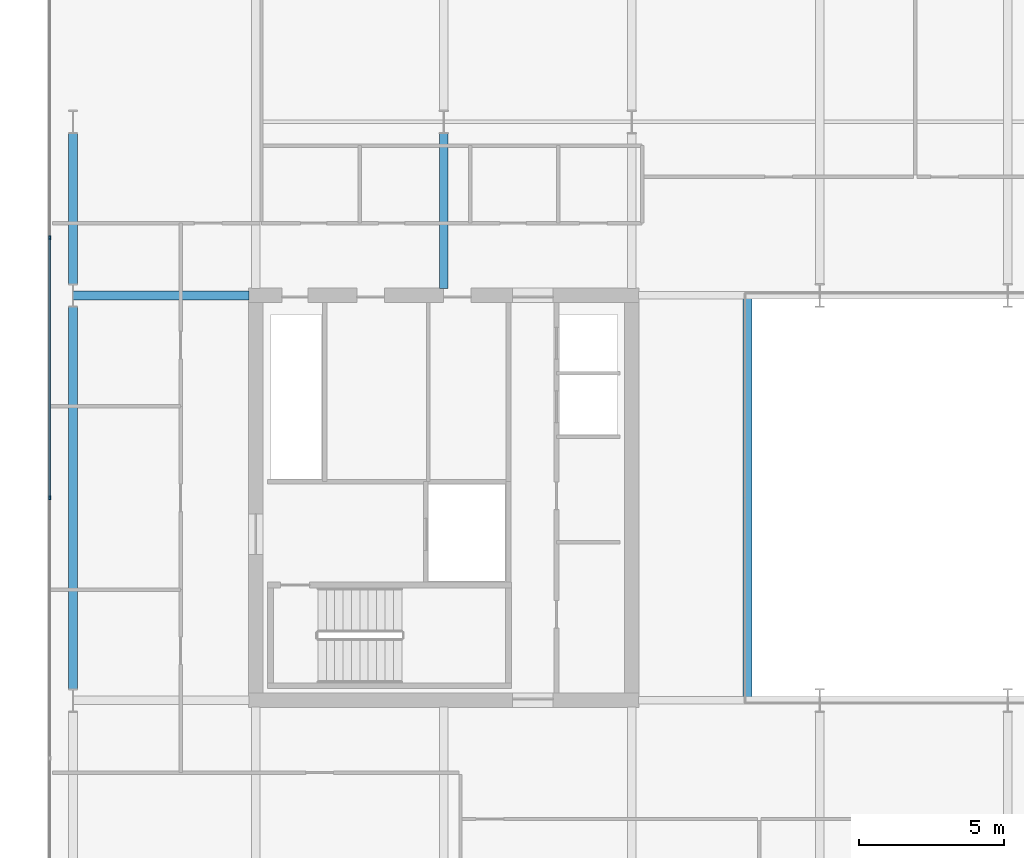
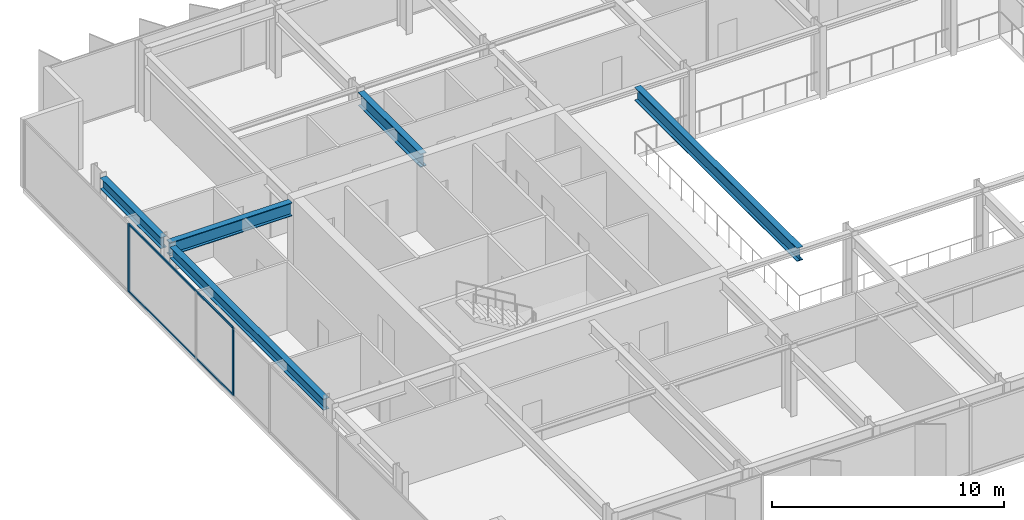
# One storey, part 5 of 23: 5 beams, 4 members, 1 element without a shape of its own.
"""IFC4 building model written with IfcOpenShell, lengths in metres."""

from ifc_helpers import new_model, si_unit, direction, frame, origin, origin_2d, place, context, subcontext, project, spatial, rectangle, i_section, extrude, material, layer, layer_set, material_profile, profile_set, type_object, element, aggregate, save


model = new_model("IFC4")

# Units and contexts
model_context = context("Model", 3, precision=1e-05, world=origin(), true_north=direction((0.0, 1.0)))
body_context = subcontext(model_context, "Body", "Model", "MODEL_VIEW")
ifc_project = project(units=[si_unit("LENGTHUNIT", "METRE"), si_unit("AREAUNIT", "SQUARE_METRE"), si_unit("VOLUMEUNIT", "CUBIC_METRE"), si_unit("PLANEANGLEUNIT", "RADIAN"), si_unit("MASSUNIT", "GRAM", prefix="KILO")], contexts=[model_context])

# Site, building, storey
site_placement = place(None, origin())
site = spatial("IfcSite", under=ifc_project, at=site_placement, CompositionType="ELEMENT")
building_placement = place(site_placement, origin())
building = spatial("IfcBuilding", under=site, at=building_placement, Name="Putna Gate Headquarters", CompositionType="ELEMENT")
storey_placement = place(building_placement, frame((0.0, 0.0, 232.800048828125)))
storey = spatial("IfcBuildingStorey", under=building, at=storey_placement, Name="L58", CompositionType="ELEMENT", Elevation=232.800048828125)

# Beams
ifc_material_1 = material(Name="Steel S355J2", Category="steel")
ifc_material_profile_1 = material_profile(ifc_material_1, i_section(OverallWidth=0.300048828125, OverallDepth=0.699951171875, WebThickness=0.01708984375, FlangeThickness=0.031982421875, at=origin_2d()), Name="Steel S355J2")
ifc_profile_set_1 = profile_set([ifc_material_profile_1], Name="Steel S355J2")
beam_type_1 = type_object("IfcBeamType", Name="BM-GIRD-B-HEB700", PredefinedType="USERDEFINED", material=ifc_profile_set_1)
beam_1_placement = place(storey_placement, frame((6.68603515625, 33.0, 3.22998046875), z_axis=(1.0, 0.0, 0.0), x_axis=(0.0, 1.0, 0.0)))
element("IfcBeam", 1, at=beam_1_placement, inside=storey, type_object=beam_type_1, Name="L58 West Wing Girder Y33", ObjectType="GIRDER", PredefinedType="USERDEFINED", context=body_context, shape_type="SweptSolid", body=[
    extrude(i_section(OverallWidth=0.300048828125, OverallDepth=0.699951171875, WebThickness=0.01708984375, FlangeThickness=0.031982421875, at=origin_2d()), origin(), (0.0, 0.0, 1.0), 6.078857421875),
])
beam_2_placement = place(storey_placement, frame((19.5, 33.235107421875, 3.22998046875), z_axis=(0.0, 1.0, 0.0), x_axis=(-1.0, 0.0, 0.0)))
element("IfcBeam", 2, at=beam_2_placement, inside=storey, type_object=beam_type_1, Name="L58 North Primary Girder X19-1", ObjectType="GIRDER", PredefinedType="USERDEFINED", context=body_context, shape_type="SweptSolid", body=[
    extrude(i_section(OverallWidth=0.300048828125, OverallDepth=0.699951171875, WebThickness=0.01708984375, FlangeThickness=0.031982421875, at=origin_2d()), origin(), (0.0, 0.0, 1.0), 5.369873046875),
])
beam_3_placement = place(storey_placement, frame((30.0, 19.010009765625, 3.22998046875), z_axis=(0.0, 1.0, 0.0), x_axis=(-1.0, 0.0, 0.0)))
element("IfcBeam", 3, at=beam_3_placement, inside=storey, type_object=beam_type_1, Name="L58 Atrium Trim Girder AW", ObjectType="GIRDER", PredefinedType="USERDEFINED", context=body_context, shape_type="SweptSolid", body=[
    extrude(i_section(OverallWidth=0.300048828125, OverallDepth=0.699951171875, WebThickness=0.01708984375, FlangeThickness=0.031982421875, at=origin_2d()), origin(), (0.0, 0.0, 1.0), 13.97998046875),
])
ifc_material_profile_2 = material_profile(ifc_material_1, i_section(OverallWidth=0.300048828125, OverallDepth=0.590087890625, WebThickness=0.012939453125, FlangeThickness=0.02490234375, at=origin_2d()), Name="Steel S355J2")
ifc_profile_set_2 = profile_set([ifc_material_profile_2], Name="Steel S355J2")
beam_type_2 = type_object("IfcBeamType", Name="BM-SPAN-Z4-HEA600", PredefinedType="SPANDREL", material=ifc_profile_set_2)
beam_4_placement = place(storey_placement, frame((6.679931640625, 19.39501953125, 3.284912109375), z_axis=(0.0, 1.0, 0.0), x_axis=(-1.0, 0.0, 0.0)))
element("IfcBeam", 4, at=beam_4_placement, inside=storey, type_object=beam_type_2, Name="L58 W End Spandrel 2", PredefinedType="SPANDREL", context=body_context, shape_type="SweptSolid", body=[
    extrude(i_section(OverallWidth=0.300048828125, OverallDepth=0.590087890625, WebThickness=0.012939453125, FlangeThickness=0.02490234375, at=origin_2d()), origin(), (0.0, 0.0, 1.0), 13.2099609375),
])
beam_5_placement = place(storey_placement, frame((6.679931640625, 33.39501953125, 3.284912109375), z_axis=(0.0, 1.0, 0.0), x_axis=(-1.0, 0.0, 0.0)))
element("IfcBeam", 5, at=beam_5_placement, inside=storey, type_object=beam_type_2, Name="L58 W End Spandrel 3", PredefinedType="SPANDREL", context=body_context, shape_type="SweptSolid", body=[
    extrude(i_section(OverallWidth=0.300048828125, OverallDepth=0.590087890625, WebThickness=0.012939453125, FlangeThickness=0.02490234375, at=origin_2d()), origin(), (0.0, 0.0, 1.0), 5.2099609375),
])

# Curtain wall, members
ifc_material_2 = material(Name="Anodised bronze aluminium curtain wall", Category="aluminium")
ifc_layer = layer(ifc_material_2, 0.139892578125)
ifc_layer_set = layer_set([ifc_layer], Name="Anodised bronze aluminium curtain wall")
curtain_wall_type = type_object("IfcCurtainWallType", Name="CW-SYS-Z4", PredefinedType="USERDEFINED", material=ifc_layer_set)
curtain_wall_placement = place(storey_placement, origin())
curtain_wall = element("IfcCurtainWall", 6, at=curtain_wall_placement, inside=storey, type_object=curtain_wall_type, Name="L58 West Curtain Wall", ObjectType="STICK CURTAIN WALL", PredefinedType="USERDEFINED")
ifc_material_3 = material(Name="Anodised bronze aluminium EN AW-6060", Category="aluminium")
ifc_material_profile_3 = material_profile(ifc_material_3, rectangle(XDim=0.06005859375, YDim=0.139892578125, at=origin_2d()), Name="Anodised bronze aluminium EN AW-6060")
ifc_profile_set_3 = profile_set([ifc_material_profile_3], Name="Anodised bronze aluminium EN AW-6060")
member_type_1 = type_object("IfcMemberType", Name="MULL-CWM-4", PredefinedType="MULLION", material=ifc_profile_set_3)
member_1_placement = place(storey_placement, frame((5.8798828125, 26.0, 0.0), z_axis=(0.0, 0.0, 1.0), x_axis=(-1.0, 0.0, 0.0)))
member_1 = element("IfcMember", 7, at=member_1_placement, type_object=member_type_1, Name="CWS-4 mullion 3", PredefinedType="MULLION", context=body_context, shape_type="SweptSolid", body=[
    extrude(rectangle(XDim=0.06005859375, YDim=0.139892578125, at=origin_2d()), origin(), (0.0, 0.0, 1.0), 3.579833984375),
])
member_2_placement = place(storey_placement, frame((5.8798828125, 35.0, 0.0), z_axis=(0.0, 0.0, 1.0), x_axis=(-1.0, 0.0, 0.0)))
member_2 = element("IfcMember", 8, at=member_2_placement, type_object=member_type_1, Name="CWS-4 mullion 4", PredefinedType="MULLION", context=body_context, shape_type="SweptSolid", body=[
    extrude(rectangle(XDim=0.06005859375, YDim=0.139892578125, at=origin_2d()), origin(), (0.0, 0.0, 1.0), 3.579833984375),
])
ifc_material_profile_4 = material_profile(ifc_material_3, rectangle(XDim=0.06005859375, YDim=0.10009765625, at=origin_2d()), Name="Anodised bronze aluminium EN AW-6060")
ifc_profile_set_4 = profile_set([ifc_material_profile_4], Name="Anodised bronze aluminium EN AW-6060")
member_type_2 = type_object("IfcMemberType", Name="TRAN-CWT-4", PredefinedType="USERDEFINED", material=ifc_profile_set_4)
member_3_placement = place(storey_placement, frame((5.8798828125, 26.030029296875, 0.030029296875), z_axis=(0.0, 1.0, 0.0), x_axis=(-1.0, 0.0, 0.0)))
member_3 = element("IfcMember", 9, at=member_3_placement, type_object=member_type_2, Name="CWS-4 transom 3.1", ObjectType="TRANSOM", PredefinedType="USERDEFINED", context=body_context, shape_type="SweptSolid", body=[
    extrude(rectangle(XDim=0.06005859375, YDim=0.10009765625, at=origin_2d()), origin(), (0.0, 0.0, 1.0), 8.93994140625),
])
member_4_placement = place(storey_placement, frame((5.8798828125, 26.030029296875, 3.550048828125), z_axis=(0.0, 1.0, 0.0), x_axis=(-1.0, 0.0, 0.0)))
member_4 = element("IfcMember", 10, at=member_4_placement, type_object=member_type_2, Name="CWS-4 transom 3.2", ObjectType="TRANSOM", PredefinedType="USERDEFINED", context=body_context, shape_type="SweptSolid", body=[
    extrude(rectangle(XDim=0.06005859375, YDim=0.10009765625, at=origin_2d()), origin(), (0.0, 0.0, 1.0), 8.93994140625),
])
aggregate(curtain_wall, [member_1, member_2, member_3, member_4])

save(model, "model.ifc")
